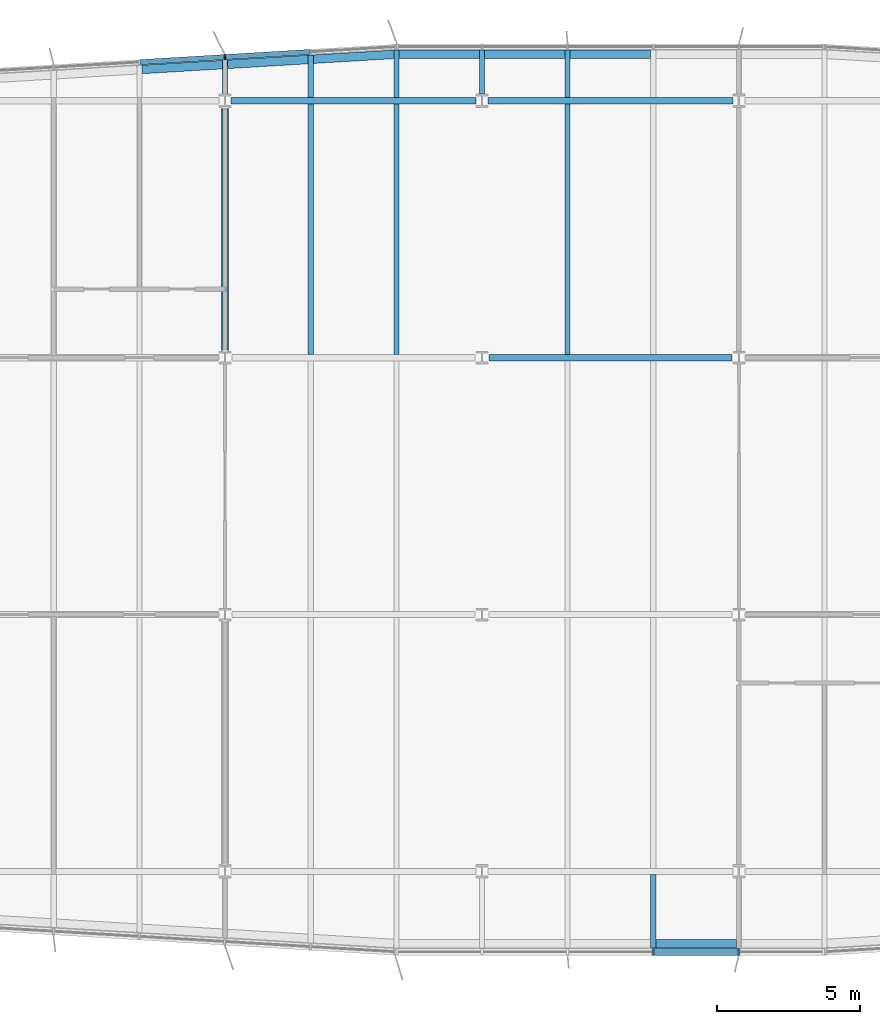
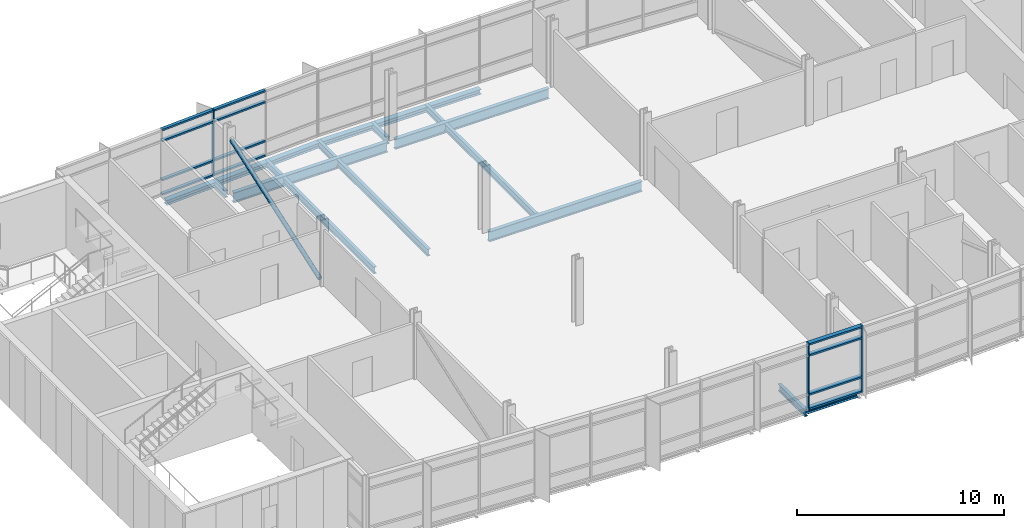
# One storey, part 5 of 21: 19 beams, 16 members, 2 elements without a shape of their own.
"""IFC4 building model written with IfcOpenShell, lengths in metres."""

from ifc_helpers import new_model, si_unit, direction, frame, origin, origin_2d, place, context, subcontext, project, spatial, rectangle, hollow_circle, i_section, extrude, material, material_profile, profile_set, type_object, element, aggregate, save


model = new_model("IFC4")

# Units and contexts
model_context = context("Model", 3, precision=1e-05, world=origin(), true_north=direction((0.0, 1.0)))
body_context = subcontext(model_context, "Body", "Model", "MODEL_VIEW")
ifc_project = project(units=[si_unit("LENGTHUNIT", "METRE"), si_unit("AREAUNIT", "SQUARE_METRE"), si_unit("VOLUMEUNIT", "CUBIC_METRE"), si_unit("PLANEANGLEUNIT", "RADIAN"), si_unit("MASSUNIT", "GRAM", prefix="KILO")], contexts=[model_context])

# Site, building, storey
site_placement = place(None, origin())
site = spatial("IfcSite", under=ifc_project, at=site_placement, CompositionType="ELEMENT")
building_placement = place(site_placement, origin())
building = spatial("IfcBuilding", under=site, at=building_placement, Name="Azimuth Sports and Learning Centre", CompositionType="ELEMENT")
storey_placement = place(building_placement, frame((0.0, 0.0, 32.39990234375)))
storey = spatial("IfcBuildingStorey", under=building, at=storey_placement, Name="L06", CompositionType="ELEMENT", Elevation=32.39990234375)

# Beams
ifc_material_1 = material(Name="Steel S355", Category="steel")
ifc_material_profile_1 = material_profile(ifc_material_1, i_section(OverallWidth=0.219970703125, OverallDepth=0.60009765625, WebThickness=0.011962890625, FlangeThickness=0.01904296875, FilletRadius=0.02392578125, at=origin_2d()), Name="IPE 600")
ifc_profile_set_1 = profile_set([ifc_material_profile_1], Name="Steel S355")
beam_type_1 = type_object("IfcBeamType", Name="Beam IPE 600", PredefinedType="BEAM", material=ifc_profile_set_1)
beam_1_placement = place(storey_placement, frame((81.238037109375, 108.0, -0.429931640625), z_axis=(1.0, 0.0, 0.0), x_axis=(0.0, 1.0, 0.0)))
element("IfcBeam", 1, at=beam_1_placement, inside=storey, type_object=beam_type_1, Name="Tower girder L06", PredefinedType="BEAM", context=body_context, shape_type="SweptSolid", body=[
    extrude(i_section(OverallWidth=0.219970703125, OverallDepth=0.60009765625, WebThickness=0.011962890625, FlangeThickness=0.01904296875, FilletRadius=0.02392578125, at=origin_2d()), origin(), (0.0, 0.0, 1.0), 8.52392578125),
])
for number, where, z_axis, x_axis, name in (
    (2, (72.2119140625, 117.0, -0.429931640625), (1.0, 0.0, 0.0), (0.0, 1.0, 0.0), "Tower girder L06"),
    (3, (81.2119140625, 117.0, -0.429931640625), (1.0, 0.0, 0.0), (0.0, 1.0, 0.0), "Tower girder L06"),
):
    element("IfcBeam", number, at=place(storey_placement, frame(where, z_axis=z_axis, x_axis=x_axis)), inside=storey, type_object=beam_type_1, Name=name, PredefinedType="BEAM", context=body_context, shape_type="SweptSolid", body=[
        extrude(i_section(OverallWidth=0.219970703125, OverallDepth=0.60009765625, WebThickness=0.011962890625, FlangeThickness=0.01904296875, FilletRadius=0.02392578125, at=origin_2d()), origin(), (0.0, 0.0, 1.0), 8.576171875),
    ])

# Member
ifc_material_2 = material(Name="Steel S355", Category="steel")
ifc_material_profile_2 = material_profile(ifc_material_2, hollow_circle(Radius=0.122314453125, WallThickness=0.012451171875, at=origin_2d()), Name="CHS 244.5x12.5")
ifc_profile_set_2 = profile_set([ifc_material_profile_2], Name="Steel S355")
member_type_1 = type_object("IfcMemberType", Name="Brace CHS 244.5x12.5", PredefinedType="BRACE", material=ifc_profile_set_2)
member_1_placement = place(storey_placement, frame((72.0, 108.238037109375, 0.16943359375), z_axis=(0.0, 0.943699867633, 0.330802901785), x_axis=(-1.0, 0.0, 0.0)))
element("IfcMember", 4, at=member_1_placement, inside=storey, type_object=member_type_1, Name="Tower brace 9 L06", PredefinedType="BRACE", context=body_context, shape_type="SweptSolid", body=[
    extrude(hollow_circle(Radius=0.122314453125, WallThickness=0.012451171875, at=origin_2d()), origin(), (0.0, 0.0, 1.0), 9.011962890625),
])

# Beams
ifc_material_3 = material(Name="Steel S355", Category="steel")
ifc_material_profile_3 = material_profile(ifc_material_3, i_section(OverallWidth=0.179931640625, OverallDepth=0.39990234375, WebThickness=0.008544921875, FlangeThickness=0.013427734375, FilletRadius=0.02099609375, at=origin_2d()), Name="IPE 400")
ifc_profile_set_3 = profile_set([ifc_material_profile_3], Name="Steel S355")
beam_type_2 = type_object("IfcBeamType", Name="Cantilever stub IPE 400", PredefinedType="JOIST", material=ifc_profile_set_3)
beam_2_placement = place(storey_placement, frame((87.0, 89.889892578125, -0.329833984375), z_axis=(0.0, -1.0, 0.0), x_axis=(1.0, 0.0, 0.0)))
element("IfcBeam", 5, at=beam_2_placement, inside=storey, type_object=beam_type_2, Name="Tower cantilever stub", PredefinedType="JOIST", context=body_context, shape_type="SweptSolid", body=[
    extrude(i_section(OverallWidth=0.179931640625, OverallDepth=0.39990234375, WebThickness=0.008544921875, FlangeThickness=0.013427734375, FilletRadius=0.02099609375, at=origin_2d()), origin(), (0.0, 0.0, 1.0), 2.56982421875),
])
beam_3_placement = place(storey_placement, frame((72.0, 117.237060546875, -0.329833984375), z_axis=(0.0, 1.0, 0.0), x_axis=(-1.0, 0.0, 0.0)))
element("IfcBeam", 6, at=beam_3_placement, inside=storey, type_object=beam_type_2, Name="Tower cantilever stub", PredefinedType="JOIST", context=body_context, shape_type="SweptSolid", body=[
    extrude(i_section(OverallWidth=0.179931640625, OverallDepth=0.39990234375, WebThickness=0.008544921875, FlangeThickness=0.013427734375, FilletRadius=0.02099609375, at=origin_2d()), origin(), (0.0, 0.0, 1.0), 1.182861328125),
])
beam_4_placement = place(storey_placement, frame((75.0, 117.110107421875, -0.329833984375), z_axis=(0.0, 1.0, 0.0), x_axis=(-1.0, 0.0, 0.0)))
element("IfcBeam", 7, at=beam_4_placement, inside=storey, type_object=beam_type_2, Name="Tower cantilever stub", PredefinedType="JOIST", context=body_context, shape_type="SweptSolid", body=[
    extrude(i_section(OverallWidth=0.179931640625, OverallDepth=0.39990234375, WebThickness=0.008544921875, FlangeThickness=0.013427734375, FilletRadius=0.02099609375, at=origin_2d()), origin(), (0.0, 0.0, 1.0), 1.489990234375),
])
beam_5_placement = place(storey_placement, frame((78.0, 117.110107421875, -0.329833984375), z_axis=(0.0, 1.0, 0.0), x_axis=(-1.0, 0.0, 0.0)))
element("IfcBeam", 8, at=beam_5_placement, inside=storey, type_object=beam_type_2, Name="Tower cantilever stub", PredefinedType="JOIST", context=body_context, shape_type="SweptSolid", body=[
    extrude(i_section(OverallWidth=0.179931640625, OverallDepth=0.39990234375, WebThickness=0.008544921875, FlangeThickness=0.013427734375, FilletRadius=0.02099609375, at=origin_2d()), origin(), (0.0, 0.0, 1.0), 1.669921875),
])
beam_6_placement = place(storey_placement, frame((81.0, 117.237060546875, -0.329833984375), z_axis=(0.0, 1.0, 0.0), x_axis=(-1.0, 0.0, 0.0)))
element("IfcBeam", 9, at=beam_6_placement, inside=storey, type_object=beam_type_2, Name="Tower cantilever stub", PredefinedType="JOIST", context=body_context, shape_type="SweptSolid", body=[
    extrude(i_section(OverallWidth=0.179931640625, OverallDepth=0.39990234375, WebThickness=0.008544921875, FlangeThickness=0.013427734375, FilletRadius=0.02099609375, at=origin_2d()), origin(), (0.0, 0.0, 1.0), 1.54296875),
])
beam_7_placement = place(storey_placement, frame((84.0, 117.110107421875, -0.329833984375), z_axis=(0.0, 1.0, 0.0), x_axis=(-1.0, 0.0, 0.0)))
element("IfcBeam", 10, at=beam_7_placement, inside=storey, type_object=beam_type_2, Name="Tower cantilever stub", PredefinedType="JOIST", context=body_context, shape_type="SweptSolid", body=[
    extrude(i_section(OverallWidth=0.179931640625, OverallDepth=0.39990234375, WebThickness=0.008544921875, FlangeThickness=0.013427734375, FilletRadius=0.02099609375, at=origin_2d()), origin(), (0.0, 0.0, 1.0), 1.669921875),
])
ifc_material_4 = material(Name="Steel S355", Category="steel")
ifc_material_profile_4 = material_profile(ifc_material_4, i_section(OverallWidth=0.300048828125, OverallDepth=0.2900390625, WebThickness=0.008544921875, FlangeThickness=0.013916015625, FilletRadius=0.027099609375, at=origin_2d()), Name="HEA 300")
ifc_profile_set_4 = profile_set([ifc_material_profile_4], Name="Steel S355")
beam_type_3 = type_object("IfcBeamType", Name="Edge beam HEA 300", PredefinedType="SPANDREL", material=ifc_profile_set_4)
beam_8_placement = place(storey_placement, frame((87.090087890625, 87.469970703125, -0.27490234375), z_axis=(1.0, 0.0, 0.0), x_axis=(0.0, 1.0, 0.0)))
element("IfcBeam", 11, at=beam_8_placement, inside=storey, type_object=beam_type_3, Name="Tower edge beam", PredefinedType="SPANDREL", context=body_context, shape_type="SweptSolid", body=[
    extrude(i_section(OverallWidth=0.300048828125, OverallDepth=0.2900390625, WebThickness=0.008544921875, FlangeThickness=0.013916015625, FilletRadius=0.027099609375, at=origin_2d()), origin(), (0.0, 0.0, 1.0), 2.81982421875),
])
for number, where, z_axis, x_axis, name in (
    (12, (69.090087890625, 118.095458984375, -0.27490234375), (0.998204845466, 0.059892290728, 0.0), (-0.059892290728, 0.998204845466, 0.0), "Tower edge beam"),
    (13, (72.090087890625, 118.275390625, -0.27490234375), (0.998204845466, 0.059892290728, 0.0), (-0.059892290728, 0.998204845466, 0.0), "Tower edge beam"),
    (14, (75.090087890625, 118.455322265625, -0.27490234375), (0.998204845466, 0.059892290728, 0.0), (-0.059892290728, 0.998204845466, 0.0), "Tower edge beam"),
):
    element("IfcBeam", number, at=place(storey_placement, frame(where, z_axis=z_axis, x_axis=x_axis)), inside=storey, type_object=beam_type_3, Name=name, PredefinedType="SPANDREL", context=body_context, shape_type="SweptSolid", body=[
        extrude(i_section(OverallWidth=0.300048828125, OverallDepth=0.2900390625, WebThickness=0.008544921875, FlangeThickness=0.013916015625, FilletRadius=0.027099609375, at=origin_2d()), origin(), (0.0, 0.0, 1.0), 2.824951171875),
    ])
for number, where, z_axis, x_axis, name in (
    (15, (78.090087890625, 118.6298828125, -0.27490234375), (1.0, 0.0, 0.0), (0.0, 1.0, 0.0), "Tower edge beam"),
    (16, (81.090087890625, 118.6298828125, -0.27490234375), (1.0, 0.0, 0.0), (0.0, 1.0, 0.0), "Tower edge beam"),
    (17, (84.090087890625, 118.6298828125, -0.27490234375), (1.0, 0.0, 0.0), (0.0, 1.0, 0.0), "Tower edge beam"),
):
    element("IfcBeam", number, at=place(storey_placement, frame(where, z_axis=z_axis, x_axis=x_axis)), inside=storey, type_object=beam_type_3, Name=name, PredefinedType="SPANDREL", context=body_context, shape_type="SweptSolid", body=[
        extrude(i_section(OverallWidth=0.300048828125, OverallDepth=0.2900390625, WebThickness=0.008544921875, FlangeThickness=0.013916015625, FilletRadius=0.027099609375, at=origin_2d()), origin(), (0.0, 0.0, 1.0), 2.81982421875),
    ])
ifc_material_5 = material(Name="Steel S355", Category="steel")
ifc_material_profile_5 = material_profile(ifc_material_5, i_section(OverallWidth=0.179931640625, OverallDepth=0.39990234375, WebThickness=0.008544921875, FlangeThickness=0.013427734375, FilletRadius=0.02099609375, at=origin_2d()), Name="IPE 400")
ifc_profile_set_5 = profile_set([ifc_material_profile_5], Name="Steel S355")
beam_type_4 = type_object("IfcBeamType", Name="Joist IPE 400", PredefinedType="JOIST", material=ifc_profile_set_5)
for number, where, z_axis, x_axis, name in (
    (18, (75.0, 108.110107421875, -0.329833984375), (0.0, 1.0, 0.0), (-1.0, 0.0, 0.0), "Tower joist"),
    (19, (78.0, 108.110107421875, -0.329833984375), (0.0, 1.0, 0.0), (-1.0, 0.0, 0.0), "Tower joist"),
    (20, (84.0, 108.110107421875, -0.329833984375), (0.0, 1.0, 0.0), (-1.0, 0.0, 0.0), "Tower joist"),
):
    element("IfcBeam", number, at=place(storey_placement, frame(where, z_axis=z_axis, x_axis=x_axis)), inside=storey, type_object=beam_type_4, Name=name, PredefinedType="JOIST", context=body_context, shape_type="SweptSolid", body=[
        extrude(i_section(OverallWidth=0.179931640625, OverallDepth=0.39990234375, WebThickness=0.008544921875, FlangeThickness=0.013427734375, FilletRadius=0.02099609375, at=origin_2d()), origin(), (0.0, 0.0, 1.0), 8.77978515625),
    ])

# Curtain wall, member
ifc_material_6 = material(Name="Aluminium and glass", Category="aluminium")
curtain_wall_type_1 = type_object("IfcCurtainWallType", Name="Curtain wall tower north 180", PredefinedType="NOTDEFINED", material=ifc_material_6)
curtain_wall_1_placement = place(storey_placement, origin())
curtain_wall_1 = element("IfcCurtainWall", 21, at=curtain_wall_1_placement, inside=storey, type_object=curtain_wall_type_1, Name="Curtain wall CW06-009", PredefinedType="NOTDEFINED")
ifc_material_7 = material(Name="Aluminium", Category="aluminium")
ifc_material_profile_6 = material_profile(ifc_material_7, rectangle(XDim=0.179931640625, YDim=0.06005859375, at=origin_2d()), Name="Mullion 60x180")
ifc_profile_set_6 = profile_set([ifc_material_profile_6], Name="Aluminium")
member_type_2 = type_object("IfcMemberType", Name="Mullion 60x180", PredefinedType="MULLION", material=ifc_profile_set_6)
member_2_placement = place(storey_placement, frame((71.99462890625, 118.52978515625, 0.0), z_axis=(0.0, 0.0, 1.0), x_axis=(0.059891991812, -0.998204863401, 0.0)))
member_2 = element("IfcMember", 22, at=member_2_placement, type_object=member_type_2, Name="CW06-009 mullion 3", PredefinedType="MULLION", context=body_context, shape_type="SweptSolid", body=[
    extrude(rectangle(XDim=0.179931640625, YDim=0.06005859375, at=origin_2d()), origin(), (0.0, 0.0, 1.0), 3.900146484375),
])

# Curtain wall, members
ifc_material_8 = material(Name="Aluminium and glass", Category="aluminium")
curtain_wall_type_2 = type_object("IfcCurtainWallType", Name="Curtain wall tower south 240", PredefinedType="NOTDEFINED", material=ifc_material_8)
curtain_wall_2_placement = place(storey_placement, origin())
curtain_wall_2 = element("IfcCurtainWall", 23, at=curtain_wall_2_placement, inside=storey, type_object=curtain_wall_type_2, Name="Curtain wall CW06-003", PredefinedType="NOTDEFINED")
ifc_material_9 = material(Name="Aluminium", Category="aluminium")
ifc_material_profile_7 = material_profile(ifc_material_9, rectangle(XDim=0.239990234375, YDim=0.070068359375, at=origin_2d()), Name="Mullion 70x240")
ifc_profile_set_7 = profile_set([ifc_material_profile_7], Name="Aluminium")
member_type_3 = type_object("IfcMemberType", Name="Mullion 70x240", PredefinedType="MULLION", material=ifc_profile_set_7)
member_3_placement = place(storey_placement, frame((87.0, 87.179931640625, 0.0), z_axis=(0.0, 0.0, 1.0), x_axis=(0.0, 1.0, 0.0)))
member_3 = element("IfcMember", 24, at=member_3_placement, type_object=member_type_3, Name="CW06-003 mullion 4", PredefinedType="MULLION", context=body_context, shape_type="SweptSolid", body=[
    extrude(rectangle(XDim=0.239990234375, YDim=0.070068359375, at=origin_2d()), origin(), (0.0, 0.0, 1.0), 3.900146484375),
])
member_4_placement = place(storey_placement, frame((90.0, 87.179931640625, 0.0), z_axis=(0.0, 0.0, 1.0), x_axis=(0.0, 1.0, 0.0)))
member_4 = element("IfcMember", 25, at=member_4_placement, type_object=member_type_3, Name="CW06-003 mullion 5", PredefinedType="MULLION", context=body_context, shape_type="SweptSolid", body=[
    extrude(rectangle(XDim=0.239990234375, YDim=0.070068359375, at=origin_2d()), origin(), (0.0, 0.0, 1.0), 3.900146484375),
])

# Member
ifc_material_10 = material(Name="Aluminium", Category="aluminium")
ifc_material_profile_8 = material_profile(ifc_material_10, rectangle(XDim=0.179931640625, YDim=0.10009765625, at=origin_2d()), Name="Transom 100x180")
ifc_profile_set_8 = profile_set([ifc_material_profile_8], Name="Aluminium")
member_type_4 = type_object("IfcMemberType", Name="Transom 100x180", PredefinedType="USERDEFINED", material=ifc_profile_set_8)
member_5_placement = place(storey_placement, frame((74.964599609375, 118.7080078125, 0.050048828125), z_axis=(-0.998207421552, -0.059849340505, 0.0), x_axis=(0.059849340505, -0.998207421552, 0.0)))
member_5 = element("IfcMember", 26, at=member_5_placement, type_object=member_type_4, Name="CW06-009 transom 2.1", ObjectType="TRANSOM", PredefinedType="USERDEFINED", context=body_context, shape_type="SweptSolid", body=[
    extrude(rectangle(XDim=0.179931640625, YDim=0.10009765625, at=origin_2d()), origin(), (0.0, 0.0, 1.0), 2.9453125),
])

member_6_placement = place(storey_placement, frame((74.964599609375, 118.7080078125, 0.900146484375), z_axis=(-0.998207421552, -0.059849340505, 0.0), x_axis=(0.059849340505, -0.998207421552, 0.0)))
member_6 = element("IfcMember", 27, at=member_6_placement, type_object=member_type_4, Name="CW06-009 transom 2.2", ObjectType="TRANSOM", PredefinedType="USERDEFINED", context=body_context, shape_type="SweptSolid", body=[
    extrude(rectangle(XDim=0.179931640625, YDim=0.10009765625, at=origin_2d()), origin(), (0.0, 0.0, 1.0), 2.9453125),
])

member_7_placement = place(storey_placement, frame((74.964599609375, 118.7080078125, 3.2001953125), z_axis=(-0.998207421552, -0.059849340505, 0.0), x_axis=(0.059849340505, -0.998207421552, 0.0)))
member_7 = element("IfcMember", 28, at=member_7_placement, type_object=member_type_4, Name="CW06-009 transom 2.3", ObjectType="TRANSOM", PredefinedType="USERDEFINED", context=body_context, shape_type="SweptSolid", body=[
    extrude(rectangle(XDim=0.179931640625, YDim=0.10009765625, at=origin_2d()), origin(), (0.0, 0.0, 1.0), 2.9453125),
])

member_8_placement = place(storey_placement, frame((74.964599609375, 118.7080078125, 3.85009765625), z_axis=(-0.998207421552, -0.059849340505, 0.0), x_axis=(0.059849340505, -0.998207421552, 0.0)))
member_8 = element("IfcMember", 29, at=member_8_placement, type_object=member_type_4, Name="CW06-009 transom 2.4", ObjectType="TRANSOM", PredefinedType="USERDEFINED", context=body_context, shape_type="SweptSolid", body=[
    extrude(rectangle(XDim=0.179931640625, YDim=0.10009765625, at=origin_2d()), origin(), (0.0, 0.0, 1.0), 2.9453125),
])

member_9_placement = place(storey_placement, frame((71.964599609375, 118.528076171875, 0.050048828125), z_axis=(-0.998202465912, -0.059931936792, 0.0), x_axis=(0.059931936792, -0.998202465912, 0.0)))
member_9 = element("IfcMember", 30, at=member_9_placement, type_object=member_type_4, Name="CW06-009 transom 3.1", ObjectType="TRANSOM", PredefinedType="USERDEFINED", context=body_context, shape_type="SweptSolid", body=[
    extrude(rectangle(XDim=0.179931640625, YDim=0.10009765625, at=origin_2d()), origin(), (0.0, 0.0, 1.0), 2.9453125),
])

member_10_placement = place(storey_placement, frame((71.964599609375, 118.528076171875, 0.900146484375), z_axis=(-0.998202465912, -0.059931936792, 0.0), x_axis=(0.059931936792, -0.998202465912, 0.0)))
member_10 = element("IfcMember", 31, at=member_10_placement, type_object=member_type_4, Name="CW06-009 transom 3.2", ObjectType="TRANSOM", PredefinedType="USERDEFINED", context=body_context, shape_type="SweptSolid", body=[
    extrude(rectangle(XDim=0.179931640625, YDim=0.10009765625, at=origin_2d()), origin(), (0.0, 0.0, 1.0), 2.9453125),
])

member_11_placement = place(storey_placement, frame((71.964599609375, 118.528076171875, 3.2001953125), z_axis=(-0.998202465912, -0.059931936792, 0.0), x_axis=(0.059931936792, -0.998202465912, 0.0)))
member_11 = element("IfcMember", 32, at=member_11_placement, type_object=member_type_4, Name="CW06-009 transom 3.3", ObjectType="TRANSOM", PredefinedType="USERDEFINED", context=body_context, shape_type="SweptSolid", body=[
    extrude(rectangle(XDim=0.179931640625, YDim=0.10009765625, at=origin_2d()), origin(), (0.0, 0.0, 1.0), 2.9453125),
])

member_12_placement = place(storey_placement, frame((71.964599609375, 118.528076171875, 3.85009765625), z_axis=(-0.998202465912, -0.059931936792, 0.0), x_axis=(0.059931936792, -0.998202465912, 0.0)))
member_12 = element("IfcMember", 33, at=member_12_placement, type_object=member_type_4, Name="CW06-009 transom 3.4", ObjectType="TRANSOM", PredefinedType="USERDEFINED", context=body_context, shape_type="SweptSolid", body=[
    extrude(rectangle(XDim=0.179931640625, YDim=0.10009765625, at=origin_2d()), origin(), (0.0, 0.0, 1.0), 2.9453125),
])

aggregate(curtain_wall_1, [member_2, member_5, member_6, member_7, member_8, member_9, member_10, member_11, member_12])

ifc_material_11 = material(Name="Aluminium", Category="aluminium")
ifc_material_profile_9 = material_profile(ifc_material_11, rectangle(XDim=0.239990234375, YDim=0.10009765625, at=origin_2d()), Name="Transom 100x240")
ifc_profile_set_9 = profile_set([ifc_material_profile_9], Name="Aluminium")
member_type_5 = type_object("IfcMemberType", Name="Transom 100x240", PredefinedType="USERDEFINED", material=ifc_profile_set_9)
member_13_placement = place(storey_placement, frame((87.034912109375, 87.179931640625, 0.050048828125), z_axis=(1.0, 0.0, 0.0), x_axis=(0.0, 1.0, 0.0)))
member_13 = element("IfcMember", 34, at=member_13_placement, type_object=member_type_5, Name="CW06-003 transom 4.1", ObjectType="TRANSOM", PredefinedType="USERDEFINED", context=body_context, shape_type="SweptSolid", body=[
    extrude(rectangle(XDim=0.239990234375, YDim=0.10009765625, at=origin_2d()), origin(), (0.0, 0.0, 1.0), 2.93017578125),
])

member_14_placement = place(storey_placement, frame((87.034912109375, 87.179931640625, 0.900146484375), z_axis=(1.0, 0.0, 0.0), x_axis=(0.0, 1.0, 0.0)))
member_14 = element("IfcMember", 35, at=member_14_placement, type_object=member_type_5, Name="CW06-003 transom 4.2", ObjectType="TRANSOM", PredefinedType="USERDEFINED", context=body_context, shape_type="SweptSolid", body=[
    extrude(rectangle(XDim=0.239990234375, YDim=0.10009765625, at=origin_2d()), origin(), (0.0, 0.0, 1.0), 2.93017578125),
])

member_15_placement = place(storey_placement, frame((87.034912109375, 87.179931640625, 3.2001953125), z_axis=(1.0, 0.0, 0.0), x_axis=(0.0, 1.0, 0.0)))
member_15 = element("IfcMember", 36, at=member_15_placement, type_object=member_type_5, Name="CW06-003 transom 4.3", ObjectType="TRANSOM", PredefinedType="USERDEFINED", context=body_context, shape_type="SweptSolid", body=[
    extrude(rectangle(XDim=0.239990234375, YDim=0.10009765625, at=origin_2d()), origin(), (0.0, 0.0, 1.0), 2.93017578125),
])

member_16_placement = place(storey_placement, frame((87.034912109375, 87.179931640625, 3.85009765625), z_axis=(1.0, 0.0, 0.0), x_axis=(0.0, 1.0, 0.0)))
member_16 = element("IfcMember", 37, at=member_16_placement, type_object=member_type_5, Name="CW06-003 transom 4.4", ObjectType="TRANSOM", PredefinedType="USERDEFINED", context=body_context, shape_type="SweptSolid", body=[
    extrude(rectangle(XDim=0.239990234375, YDim=0.10009765625, at=origin_2d()), origin(), (0.0, 0.0, 1.0), 2.93017578125),
])

aggregate(curtain_wall_2, [member_3, member_4, member_13, member_14, member_15, member_16])

save(model, "model.ifc")
